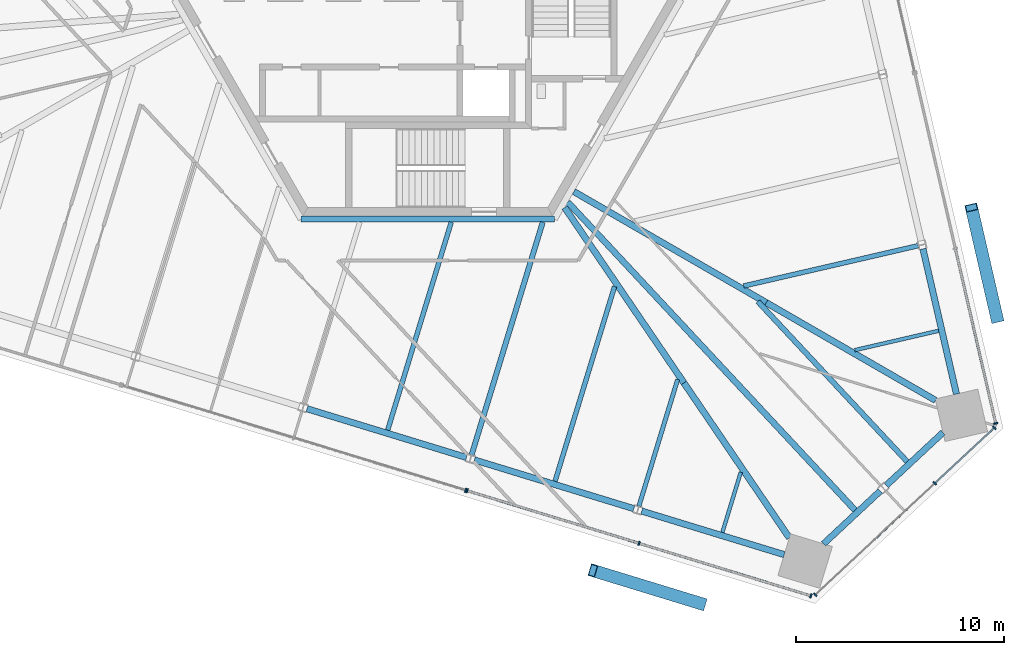
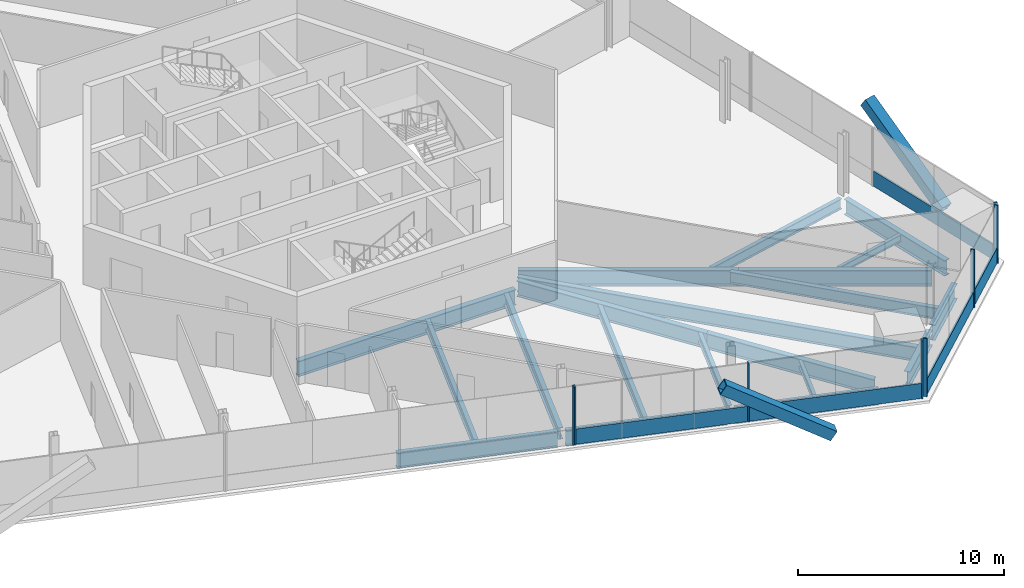
# One storey, part 6 of 18: 20 beams, 15 members, 4 elements without a shape of their own.
"""IFC4 building model written with IfcOpenShell, lengths in metres."""

from ifc_helpers import new_model, si_unit, direction, frame, origin, origin_2d, place, context, subcontext, project, spatial, rectangle, hollow_rectangle, i_section, extrude, source, transform, mapped, material, material_profile, profile_set, type_object, element, aggregate, save


model = new_model("IFC4")

# Units and contexts
model_context = context("Model", 3, precision=1e-05, world=origin(), true_north=direction((0.0, 1.0)))
body_context = subcontext(model_context, "Body", "Model", "MODEL_VIEW")
ifc_project = project(units=[si_unit("LENGTHUNIT", "METRE"), si_unit("AREAUNIT", "SQUARE_METRE"), si_unit("VOLUMEUNIT", "CUBIC_METRE"), si_unit("PLANEANGLEUNIT", "RADIAN"), si_unit("MASSUNIT", "GRAM", prefix="KILO")], contexts=[model_context])

# Site, building, storey
site_placement = place(None, origin())
site = spatial("IfcSite", under=ifc_project, at=site_placement, CompositionType="ELEMENT")
building_placement = place(site_placement, origin())
building = spatial("IfcBuilding", under=site, at=building_placement, Name="Triune Harvest Tower", CompositionType="ELEMENT")
storey_placement = place(building_placement, frame((0.0, 0.0, 101.89990234375)))
storey = spatial("IfcBuildingStorey", under=building, at=storey_placement, Name="L25", CompositionType="ELEMENT", Elevation=101.89990234375)

# Beams
ifc_material_1 = material(Name="Steel ASTM A992 Gr 50", Category="steel")
ifc_material_profile_1 = material_profile(ifc_material_1, i_section(OverallWidth=0.3046875, OverallDepth=0.914306640625, WebThickness=0.0166015625, FlangeThickness=0.02587890625, at=origin_2d()), Name="W36x160")
ifc_profile_set_1 = profile_set([ifc_material_profile_1], Name="Steel ASTM A992 Gr 50")
beam_type_1 = type_object("IfcBeamType", Name="CG-1 Core ring girder W36x160", PredefinedType="BEAM", material=ifc_profile_set_1)
shared_shape_1 = source(origin(), body_context, "Body", "SweptSolid", [
    extrude(i_section(OverallWidth=0.3046875, OverallDepth=0.914306640625, WebThickness=0.0166015625, FlangeThickness=0.02587890625, at=origin_2d()), origin(), (0.0, 0.0, 1.0), 12.17578125),
])
beam_1_placement = place(storey_placement, frame((-6.087890625, -10.544677734375, -0.6171875), z_axis=(1.0, 0.0, 0.0), x_axis=(0.0, 1.0, 0.0)))
element("IfcBeam", 1, at=beam_1_placement, inside=storey, type_object=beam_type_1, Name="beam/L25/CG5", PredefinedType="BEAM", context=body_context, shape_type="MappedRepresentation", body=[
    mapped(shared_shape_1, transform((0.0, 0.0, 0.0), scale=1.0)),
])
ifc_material_2 = material(Name="Steel ASTM A992 Gr 50", Category="steel")
ifc_material_profile_2 = material_profile(ifc_material_2, i_section(OverallWidth=0.307373046875, OverallDepth=0.922119140625, WebThickness=0.018310546875, FlangeThickness=0.030029296875, at=origin_2d()), Name="W36x182")
ifc_profile_set_2 = profile_set([ifc_material_profile_2], Name="Steel ASTM A992 Gr 50")
beam_type_2 = type_object("IfcBeamType", Name="HG-2 Hip girder W36x182", PredefinedType="BEAM", material=ifc_profile_set_2)
shared_shape_2 = source(origin(), body_context, "Body", "SweptSolid", [
    extrude(i_section(OverallWidth=0.307373046875, OverallDepth=0.922119140625, WebThickness=0.018310546875, FlangeThickness=0.030029296875, at=origin_2d()), origin(), (0.0, 0.0, 1.0), 10.681640625),
])
beam_2_placement = place(storey_placement, frame((16.27587890625, -14.56640625, -0.620849609375), z_axis=(-0.866023441189, 0.500003399299, 0.0), x_axis=(-0.500003399299, -0.866023441189, 0.0)))
element("IfcBeam", 2, at=beam_2_placement, inside=storey, type_object=beam_type_2, Name="beam/L25/HG2", PredefinedType="BEAM", context=body_context, shape_type="MappedRepresentation", body=[
    mapped(shared_shape_2, transform((0.0, 0.0, 0.0), scale=1.0)),
])
shared_shape_3 = source(origin(), body_context, "Body", "SweptSolid", [
    extrude(i_section(OverallWidth=0.307373046875, OverallDepth=0.922119140625, WebThickness=0.018310546875, FlangeThickness=0.030029296875, at=origin_2d()), origin(), (0.0, 0.0, 1.0), 10.194091796875),
])
beam_3_placement = place(storey_placement, frame((12.31640625, -18.4208984375, -0.620849609375), z_axis=(-0.562397141719, 0.826867253545, 0.0), x_axis=(-0.826867253545, -0.562397141719, 0.0)))
element("IfcBeam", 3, at=beam_3_placement, inside=storey, type_object=beam_type_2, Name="beam/L25/HG8", PredefinedType="BEAM", context=body_context, shape_type="MappedRepresentation", body=[
    mapped(shared_shape_3, transform((0.0, 0.0, 0.0), scale=1.0)),
])
ifc_material_3 = material(Name="Steel ASTM A992 Gr 50", Category="steel")
ifc_material_profile_3 = material_profile(ifc_material_3, i_section(OverallWidth=0.3046875, OverallDepth=0.914306640625, WebThickness=0.0166015625, FlangeThickness=0.02587890625, at=origin_2d()), Name="W36x160")
ifc_profile_set_3 = profile_set([ifc_material_profile_3], Name="Steel ASTM A992 Gr 50")
beam_type_3 = type_object("IfcBeamType", Name="SB-1 Spandrel beam W36x160", PredefinedType="SPANDREL", material=ifc_profile_set_3)
shared_shape_4 = source(origin(), body_context, "Body", "SweptSolid", [
    extrude(i_section(OverallWidth=0.3046875, OverallDepth=0.914306640625, WebThickness=0.0166015625, FlangeThickness=0.02587890625, at=origin_2d()), origin(), (0.0, 0.0, 1.0), 7.166259765625),
])
beam_4_placement = place(storey_placement, frame((25.42236328125, -18.96044921875, -0.6171875), z_axis=(-0.224949077026, 0.974370521283, 0.0), x_axis=(-0.974370521283, -0.224949077026, 0.0)))
element("IfcBeam", 4, at=beam_4_placement, inside=storey, type_object=beam_type_3, Name="beam/L25/SB1", PredefinedType="SPANDREL", context=body_context, shape_type="MappedRepresentation", body=[
    mapped(shared_shape_4, transform((0.0, 0.0, 0.0), scale=1.0)),
])
shared_shape_5 = source(origin(), body_context, "Body", "SweptSolid", [
    extrude(i_section(OverallWidth=0.3046875, OverallDepth=0.914306640625, WebThickness=0.0166015625, FlangeThickness=0.02587890625, at=origin_2d()), origin(), (0.0, 0.0, 1.0), 8.018310546875),
])
beam_5_placement = place(storey_placement, frame((-5.805908203125, -19.66748046875, -0.6171875), z_axis=(0.956308069579, -0.292360866152, 0.0), x_axis=(0.292360866152, 0.956308069579, 0.0)))
element("IfcBeam", 5, at=beam_5_placement, inside=storey, type_object=beam_type_3, Name="beam/L25/SB20", PredefinedType="SPANDREL", context=body_context, shape_type="MappedRepresentation", body=[
    mapped(shared_shape_5, transform((0.0, 0.0, 0.0), scale=1.0)),
])
shared_shape_6 = source(origin(), body_context, "Body", "SweptSolid", [
    extrude(i_section(OverallWidth=0.3046875, OverallDepth=0.914306640625, WebThickness=0.0166015625, FlangeThickness=0.02587890625, at=origin_2d()), origin(), (0.0, 0.0, 1.0), 8.01806640625),
])
beam_6_placement = place(storey_placement, frame((2.240966796875, -22.127685546875, -0.6171875), z_axis=(0.956305466934, -0.292369379231, 0.0), x_axis=(0.292369379231, 0.956305466934, 0.0)))
element("IfcBeam", 6, at=beam_6_placement, inside=storey, type_object=beam_type_3, Name="beam/L25/SB21", PredefinedType="SPANDREL", context=body_context, shape_type="MappedRepresentation", body=[
    mapped(shared_shape_6, transform((0.0, 0.0, 0.0), scale=1.0)),
])
shared_shape_7 = source(origin(), body_context, "Body", "SweptSolid", [
    extrude(i_section(OverallWidth=0.3046875, OverallDepth=0.914306640625, WebThickness=0.0166015625, FlangeThickness=0.02587890625, at=origin_2d()), origin(), (0.0, 0.0, 1.0), 7.16650390625),
])
beam_7_placement = place(storey_placement, frame((10.287841796875, -24.587646484375, -0.6171875), z_axis=(0.956296811344, -0.292397689137, 0.0), x_axis=(0.292397689137, 0.956296811344, 0.0)))
element("IfcBeam", 7, at=beam_7_placement, inside=storey, type_object=beam_type_3, Name="beam/L25/SB22", PredefinedType="SPANDREL", context=body_context, shape_type="MappedRepresentation", body=[
    mapped(shared_shape_7, transform((0.0, 0.0, 0.0), scale=1.0)),
])
shared_shape_8 = source(origin(), body_context, "Body", "SweptSolid", [
    extrude(i_section(OverallWidth=0.3046875, OverallDepth=0.914306640625, WebThickness=0.0166015625, FlangeThickness=0.02587890625, at=origin_2d()), origin(), (0.0, 0.0, 1.0), 3.72607421875),
])
beam_8_placement = place(storey_placement, frame((19.03173828125, -26.1630859375, -0.6171875), z_axis=(0.731344988612, 0.682007703499, 0.0), x_axis=(-0.682007703499, 0.731344988612, 0.0)))
element("IfcBeam", 8, at=beam_8_placement, inside=storey, type_object=beam_type_3, Name="beam/L25/SB23", PredefinedType="SPANDREL", context=body_context, shape_type="MappedRepresentation", body=[
    mapped(shared_shape_8, transform((0.0, 0.0, 0.0), scale=1.0)),
])
shared_shape_9 = source(origin(), body_context, "Body", "SweptSolid", [
    extrude(i_section(OverallWidth=0.3046875, OverallDepth=0.914306640625, WebThickness=0.0166015625, FlangeThickness=0.02587890625, at=origin_2d()), origin(), (0.0, 0.0, 1.0), 3.726318359375),
])
beam_9_placement = place(storey_placement, frame((22.046630859375, -23.351806640625, -0.6171875), z_axis=(0.731375462482, 0.681975023647, 0.0), x_axis=(-0.681975023647, 0.731375462482, 0.0)))
element("IfcBeam", 9, at=beam_9_placement, inside=storey, type_object=beam_type_3, Name="beam/L25/SB24", PredefinedType="SPANDREL", context=body_context, shape_type="MappedRepresentation", body=[
    mapped(shared_shape_9, transform((0.0, 0.0, 0.0), scale=1.0)),
])
shared_shape_10 = source(origin(), body_context, "Body", "SweptSolid", [
    extrude(i_section(OverallWidth=0.307373046875, OverallDepth=0.922119140625, WebThickness=0.018310546875, FlangeThickness=0.030029296875, at=origin_2d()), origin(), (0.0, 0.0, 1.0), 9.3984375),
])
beam_10_placement = place(storey_placement, frame((24.415283203125, -19.265625, -0.620849609375), z_axis=(-0.866028560268, 0.49999453277, 0.0), x_axis=(-0.49999453277, -0.866028560268, 0.0)))
element("IfcBeam", 10, at=beam_10_placement, inside=storey, type_object=beam_type_2, Name="beam/L25/HG1", PredefinedType="BEAM", context=body_context, shape_type="MappedRepresentation", body=[
    mapped(shared_shape_10, transform((0.0, 0.0, 0.0), scale=1.0)),
])
shared_shape_11 = source(origin(), body_context, "Body", "SweptSolid", [
    extrude(i_section(OverallWidth=0.307373046875, OverallDepth=0.922119140625, WebThickness=0.018310546875, FlangeThickness=0.030029296875, at=origin_2d()), origin(), (0.0, 0.0, 1.0), 9.0166015625),
])
beam_11_placement = place(storey_placement, frame((17.3876953125, -25.876220703125, -0.620849609375), z_axis=(-0.562436658991, 0.826840374331, 0.0), x_axis=(-0.826840374331, -0.562436658991, 0.0)))
element("IfcBeam", 11, at=beam_11_placement, inside=storey, type_object=beam_type_2, Name="beam/L25/HG7", PredefinedType="BEAM", context=body_context, shape_type="MappedRepresentation", body=[
    mapped(shared_shape_11, transform((0.0, 0.0, 0.0), scale=1.0)),
])
ifc_material_4 = material(Name="Steel ASTM A992 Gr 50", Category="steel")
ifc_material_profile_4 = material_profile(ifc_material_4, i_section(OverallWidth=0.180908203125, OverallDepth=0.41650390625, WebThickness=0.010986328125, FlangeThickness=0.01806640625, at=origin_2d()), Name="W16x57")
ifc_profile_set_4 = profile_set([ifc_material_profile_4], Name="Steel ASTM A992 Gr 50")
beam_type_4 = type_object("IfcBeamType", Name="JT-1 Floor joist W16x57", PredefinedType="JOIST", material=ifc_profile_set_4)
shared_shape_12 = source(origin(), body_context, "Body", "SweptSolid", [
    extrude(i_section(OverallWidth=0.180908203125, OverallDepth=0.41650390625, WebThickness=0.010986328125, FlangeThickness=0.01806640625, at=origin_2d()), origin(), (0.0, 0.0, 1.0), 4.1337890625),
])
beam_12_placement = place(storey_placement, frame((24.563720703125, -15.91845703125, -0.3681640625), z_axis=(-0.974368296684, -0.224958712697, 0.0), x_axis=(0.224958712697, -0.974368296684, 0.0)))
element("IfcBeam", 12, at=beam_12_placement, inside=storey, type_object=beam_type_4, Name="beam/L25/JT1", PredefinedType="JOIST", context=body_context, shape_type="MappedRepresentation", body=[
    mapped(shared_shape_12, transform((0.0, 0.0, 0.0), scale=1.0)),
])
ifc_material_5 = material(Name="Steel ASTM A992 Gr 50", Category="steel")
ifc_material_profile_5 = material_profile(ifc_material_5, i_section(OverallWidth=0.22900390625, OverallDepth=0.612060546875, WebThickness=0.011962890625, FlangeThickness=0.01953125, at=origin_2d()), Name="W24x84")
ifc_profile_set_5 = profile_set([ifc_material_profile_5], Name="Steel ASTM A992 Gr 50")
beam_type_5 = type_object("IfcBeamType", Name="JT-3 Floor joist W24x84", PredefinedType="JOIST", material=ifc_profile_set_5)
shared_shape_13 = source(origin(), body_context, "Body", "SweptSolid", [
    extrude(i_section(OverallWidth=0.22900390625, OverallDepth=0.612060546875, WebThickness=0.011962890625, FlangeThickness=0.01953125, at=origin_2d()), origin(), (0.0, 0.0, 1.0), 8.607421875),
])
beam_13_placement = place(storey_placement, frame((23.580078125, -11.82763671875, -0.466064453125), z_axis=(-0.97436872252, -0.224956868255, 0.0), x_axis=(0.224956868255, -0.97436872252, 0.0)))
element("IfcBeam", 13, at=beam_13_placement, inside=storey, type_object=beam_type_5, Name="beam/L25/JT2", PredefinedType="JOIST", context=body_context, shape_type="MappedRepresentation", body=[
    mapped(shared_shape_13, transform((0.0, 0.0, 0.0), scale=1.0)),
])
shared_shape_14 = source(origin(), body_context, "Body", "SweptSolid", [
    extrude(i_section(OverallWidth=0.22900390625, OverallDepth=0.612060546875, WebThickness=0.011962890625, FlangeThickness=0.01953125, at=origin_2d()), origin(), (0.0, 0.0, 1.0), 10.45361328125),
])
beam_14_placement = place(storey_placement, frame((-1.92724609375, -20.69384765625, -0.466064453125), z_axis=(0.29235559587, 0.956309680785, 0.0), x_axis=(-0.956309680785, 0.29235559587, 0.0)))
element("IfcBeam", 14, at=beam_14_placement, inside=storey, type_object=beam_type_5, Name="beam/L25/JT33", PredefinedType="JOIST", context=body_context, shape_type="MappedRepresentation", body=[
    mapped(shared_shape_14, transform((0.0, 0.0, 0.0), scale=1.0)),
])
shared_shape_15 = source(origin(), body_context, "Body", "SweptSolid", [
    extrude(i_section(OverallWidth=0.22900390625, OverallDepth=0.612060546875, WebThickness=0.011962890625, FlangeThickness=0.01953125, at=origin_2d()), origin(), (0.0, 0.0, 1.0), 9.790283203125),
])
beam_15_placement = place(storey_placement, frame((6.119384765625, -23.154052734375, -0.466064453125), z_axis=(0.292383884863, 0.956301032036, 0.0), x_axis=(-0.956301032036, 0.292383884863, 0.0)))
element("IfcBeam", 15, at=beam_15_placement, inside=storey, type_object=beam_type_5, Name="beam/L25/JT35", PredefinedType="JOIST", context=body_context, shape_type="MappedRepresentation", body=[
    mapped(shared_shape_15, transform((0.0, 0.0, 0.0), scale=1.0)),
])
ifc_material_6 = material(Name="Steel ASTM A992 Gr 50", Category="steel")
ifc_material_profile_6 = material_profile(ifc_material_6, i_section(OverallWidth=0.253662109375, OverallDepth=0.683349609375, WebThickness=0.012451171875, FlangeThickness=0.01904296875, at=origin_2d()), Name="W27x94")
ifc_profile_set_6 = profile_set([ifc_material_profile_6], Name="Steel ASTM A992 Gr 50")
beam_type_6 = type_object("IfcBeamType", Name="JT-4 Floor joist W27x94", PredefinedType="JOIST", material=ifc_profile_set_6)
shared_shape_16 = source(origin(), body_context, "Body", "SweptSolid", [
    extrude(i_section(OverallWidth=0.253662109375, OverallDepth=0.683349609375, WebThickness=0.012451171875, FlangeThickness=0.01904296875, at=origin_2d()), origin(), (0.0, 0.0, 1.0), 11.70166015625),
])
beam_16_placement = place(storey_placement, frame((2.107177734375, -21.887451171875, -0.50146484375), z_axis=(0.292381788251, 0.956301673061, 0.0), x_axis=(-0.956301673061, 0.292381788251, 0.0)))
element("IfcBeam", 16, at=beam_16_placement, inside=storey, type_object=beam_type_6, Name="beam/L25/JT34", PredefinedType="JOIST", context=body_context, shape_type="MappedRepresentation", body=[
    mapped(shared_shape_16, transform((0.0, 0.0, 0.0), scale=1.0)),
])
ifc_material_7 = material(Name="Steel ASTM A992 Gr 50", Category="steel")
ifc_material_profile_7 = material_profile(ifc_material_7, i_section(OverallWidth=0.2099609375, OverallDepth=0.535888671875, WebThickness=0.010986328125, FlangeThickness=0.017333984375, at=origin_2d()), Name="W21x68")
ifc_profile_set_7 = profile_set([ifc_material_profile_7], Name="Steel ASTM A992 Gr 50")
beam_type_7 = type_object("IfcBeamType", Name="JT-2 Floor joist W21x68", PredefinedType="JOIST", material=ifc_profile_set_7)
shared_shape_17 = source(origin(), body_context, "Body", "SweptSolid", [
    extrude(i_section(OverallWidth=0.2099609375, OverallDepth=0.535888671875, WebThickness=0.010986328125, FlangeThickness=0.017333984375, at=origin_2d()), origin(), (0.0, 0.0, 1.0), 6.3720703125),
])
beam_17_placement = place(storey_placement, frame((10.154052734375, -24.34765625, -0.427978515625), z_axis=(0.292370379947, 0.956305160986, 0.0), x_axis=(-0.956305160986, 0.292370379947, 0.0)))
element("IfcBeam", 17, at=beam_17_placement, inside=storey, type_object=beam_type_7, Name="beam/L25/JT36", PredefinedType="JOIST", context=body_context, shape_type="MappedRepresentation", body=[
    mapped(shared_shape_17, transform((0.0, 0.0, 0.0), scale=1.0)),
])
ifc_material_8 = material(Name="Steel ASTM A992 Gr 50", Category="steel")
ifc_material_profile_8 = material_profile(ifc_material_8, i_section(OverallWidth=0.2919921875, OverallDepth=0.8583984375, WebThickness=0.01708984375, FlangeThickness=0.031005859375, at=origin_2d()), Name="W33x169")
ifc_profile_set_8 = profile_set([ifc_material_profile_8], Name="Steel ASTM A992 Gr 50")
beam_type_8 = type_object("IfcBeamType", Name="JT-7 Floor joist W33x169", PredefinedType="JOIST", material=ifc_profile_set_8)
shared_shape_18 = source(origin(), body_context, "Body", "SweptSolid", [
    extrude(i_section(OverallWidth=0.2919921875, OverallDepth=0.8583984375, WebThickness=0.01708984375, FlangeThickness=0.031005859375, at=origin_2d()), origin(), (0.0, 0.0, 1.0), 20.25244140625),
])
beam_18_placement = place(storey_placement, frame((20.545654296875, -24.54296875, -0.589111328125), z_axis=(-0.681993474081, 0.73135825784, 0.0), x_axis=(-0.73135825784, -0.681993474081, 0.0)))
element("IfcBeam", 18, at=beam_18_placement, inside=storey, type_object=beam_type_8, Name="beam/L25/JT38", PredefinedType="JOIST", context=body_context, shape_type="MappedRepresentation", body=[
    mapped(shared_shape_18, transform((0.0, 0.0, 0.0), scale=1.0)),
])
shared_shape_19 = source(origin(), body_context, "Body", "SweptSolid", [
    extrude(i_section(OverallWidth=0.253662109375, OverallDepth=0.683349609375, WebThickness=0.012451171875, FlangeThickness=0.01904296875, at=origin_2d()), origin(), (0.0, 0.0, 1.0), 10.52294921875),
])
beam_19_placement = place(storey_placement, frame((23.05029296875, -22.20751953125, -0.50146484375), z_axis=(-0.682013989315, 0.731339126793, 0.0), x_axis=(-0.731339126793, -0.682013989315, 0.0)))
element("IfcBeam", 19, at=beam_19_placement, inside=storey, type_object=beam_type_6, Name="beam/L25/JT39", PredefinedType="JOIST", context=body_context, shape_type="MappedRepresentation", body=[
    mapped(shared_shape_19, transform((0.0, 0.0, 0.0), scale=1.0)),
])
shared_shape_20 = source(origin(), body_context, "Body", "SweptSolid", [
    extrude(i_section(OverallWidth=0.180908203125, OverallDepth=0.41650390625, WebThickness=0.010986328125, FlangeThickness=0.01806640625, at=origin_2d()), origin(), (0.0, 0.0, 1.0), 3.030029296875),
])
beam_20_placement = place(storey_placement, frame((14.166259765625, -25.614013671875, -0.3681640625), z_axis=(0.2923925234, 0.956298390807, 0.0), x_axis=(-0.956298390807, 0.2923925234, 0.0)))
element("IfcBeam", 20, at=beam_20_placement, inside=storey, type_object=beam_type_4, Name="beam/L25/JT37", PredefinedType="JOIST", context=body_context, shape_type="MappedRepresentation", body=[
    mapped(shared_shape_20, transform((0.0, 0.0, 0.0), scale=1.0)),
])

# Members
ifc_material_9 = material(Name="Steel ASTM A572 Gr 50", Category="steel")
ifc_material_profile_9 = material_profile(ifc_material_9, hollow_rectangle(XDim=0.60009765625, YDim=0.60009765625, WallThickness=0.0400390625, at=origin_2d()), Name="Box 600x600x40")
ifc_profile_set_9 = profile_set([ifc_material_profile_9], Name="Steel ASTM A572 Gr 50")
member_type_1 = type_object("IfcMemberType", Name="BR-2 Brace Box 600x600x40", PredefinedType="BRACE", material=ifc_profile_set_9)
shared_shape_21 = source(origin(), body_context, "Body", "SweptSolid", [
    extrude(hollow_rectangle(XDim=0.60009765625, YDim=0.60009765625, WallThickness=0.0400390625, at=origin_2d()), origin(), (0.0, 0.0, 1.0), 6.56640625),
])
for number, where, z_axis, x_axis, name in (
    (21, (27.377685546875, -15.343994140625, 0.0), (-0.188130999407, 0.814874923715, 0.548256861117), (-0.974369462042, -0.224953665097, 0.0), "brace/B3-F1/d1/2"),
    (22, (13.192138671875, -29.05078125, 0.0), (-0.799754510261, 0.24453674635, 0.548264993413), (-0.292401508485, -0.956295643531, 0.0), "brace/B3-F5/d2/2"),
):
    element("IfcMember", number, at=place(storey_placement, frame(where, z_axis=z_axis, x_axis=x_axis)), inside=storey, type_object=member_type_1, Name=name, PredefinedType="BRACE", context=body_context, shape_type="MappedRepresentation", body=[
        mapped(shared_shape_21, transform((0.0, 0.0, 0.0), scale=1.0)),
    ])

# Curtain wall, member
ifc_material_10 = material(Name="Aluminium bronze anodised", Category="aluminium")
curtain_wall_type_1 = type_object("IfcCurtainWallType", Name="CW-7 Tower stick curtain wall with insulated spandrel infill", PredefinedType="NOTDEFINED", material=ifc_material_10)
curtain_wall_1_placement = place(storey_placement, origin())
curtain_wall_1 = element("IfcCurtainWall", 23, at=curtain_wall_1_placement, inside=storey, type_object=curtain_wall_type_1, Name="CW-7 B3-F1 L25 run 1")
ifc_material_11 = material(Name="Aluminium bronze anodised", Category="aluminium")
ifc_material_profile_10 = material_profile(ifc_material_11, rectangle(XDim=0.199951171875, YDim=0.074951171875, at=origin_2d()), Name="MU-1 mullion 75 x 200")
ifc_profile_set_10 = profile_set([ifc_material_profile_10], Name="Aluminium bronze anodised")
member_type_2 = type_object("IfcMemberType", Name="MU-1 mullion 75 x 200", PredefinedType="MULLION", material=ifc_profile_set_10)
shared_shape_22 = source(origin(), body_context, "Body", "SweptSolid", [
    extrude(rectangle(XDim=0.199951171875, YDim=0.074951171875, at=origin_2d()), origin(), (0.0, 0.0, 1.0), 3.440185546875),
])
member_1_placement = place(storey_placement, frame((27.306884765625, -20.3720703125, 0.0), z_axis=(0.0, 0.0, 1.0), x_axis=(-0.974370128597, -0.224950777946, 0.0)))
member_1 = element("IfcMember", 24, at=member_1_placement, type_object=member_type_2, Name="CW-7 mullion B3-F1 1.1", PredefinedType="MULLION", context=body_context, shape_type="MappedRepresentation", body=[
    mapped(shared_shape_22, transform((0.0, 0.0, 0.0), scale=1.0)),
])

ifc_material_12 = material(Name="Aluminium bronze anodised", Category="aluminium")
curtain_wall_type_2 = type_object("IfcCurtainWallType", Name="CW-1 Tower stick curtain wall", PredefinedType="NOTDEFINED", material=ifc_material_12)
curtain_wall_2_placement = place(storey_placement, origin())
curtain_wall_2 = element("IfcCurtainWall", 25, at=curtain_wall_2_placement, inside=storey, type_object=curtain_wall_type_2, Name="CW-1 B3-F5 L25 run 1001")
member_2_placement = place(storey_placement, frame((1.822509765625, -23.587646484375, 0.0), z_axis=(0.0, 0.0, 1.0), x_axis=(0.292375328782, 0.956303647969, 0.0)))
member_2 = element("IfcMember", 26, at=member_2_placement, type_object=member_type_2, Name="CW-1 mullion B3-F5 1001.5", PredefinedType="MULLION", context=body_context, shape_type="MappedRepresentation", body=[
    mapped(shared_shape_22, transform((0.0, 0.0, 0.0), scale=1.0)),
])
aggregate(curtain_wall_2, [member_2])

# Curtain wall, members
curtain_wall_3_placement = place(storey_placement, origin())
curtain_wall_3 = element("IfcCurtainWall", 27, at=curtain_wall_3_placement, inside=storey, type_object=curtain_wall_type_1, Name="CW-7 B3-F5 L25 run 2001")
member_3_placement = place(storey_placement, frame((1.89404296875, -23.609619140625, 0.0), z_axis=(0.0, 0.0, 1.0), x_axis=(0.292372474863, 0.956304520507, 0.0)))
member_3 = element("IfcMember", 28, at=member_3_placement, type_object=member_type_2, Name="CW-7 mullion B3-F5 2001.1", PredefinedType="MULLION", context=body_context, shape_type="MappedRepresentation", body=[
    mapped(shared_shape_22, transform((0.0, 0.0, 0.0), scale=1.0)),
])
member_4_placement = place(storey_placement, frame((10.156005859375, -26.135498046875, 0.0), z_axis=(0.0, 0.0, 1.0), x_axis=(0.292372474863, 0.956304520507, 0.0)))
member_4 = element("IfcMember", 29, at=member_4_placement, type_object=member_type_2, Name="CW-7 mullion B3-F5 2001.3", PredefinedType="MULLION", context=body_context, shape_type="MappedRepresentation", body=[
    mapped(shared_shape_22, transform((0.0, 0.0, 0.0), scale=1.0)),
])
member_5_placement = place(storey_placement, frame((18.417724609375, -28.661376953125, 0.0), z_axis=(0.0, 0.0, 1.0), x_axis=(0.292372474863, 0.956304520507, 0.0)))
member_5 = element("IfcMember", 30, at=member_5_placement, type_object=member_type_2, Name="CW-7 mullion B3-F5 2001.5", PredefinedType="MULLION", context=body_context, shape_type="MappedRepresentation", body=[
    mapped(shared_shape_22, transform((0.0, 0.0, 0.0), scale=1.0)),
])

curtain_wall_4_placement = place(storey_placement, origin())
curtain_wall_4 = element("IfcCurtainWall", 31, at=curtain_wall_4_placement, inside=storey, type_object=curtain_wall_type_2, Name="CW-1 B3-F6 L25 run 1")
member_6_placement = place(storey_placement, frame((18.6328125, -28.61181640625, 0.0), z_axis=(0.0, 0.0, 1.0), x_axis=(-0.682002387287, 0.731349946151, 0.0)))
member_6 = element("IfcMember", 32, at=member_6_placement, type_object=member_type_2, Name="CW-1 mullion B3-F6 1.1", PredefinedType="MULLION", context=body_context, shape_type="MappedRepresentation", body=[
    mapped(shared_shape_22, transform((0.0, 0.0, 0.0), scale=1.0)),
])
member_7_placement = place(storey_placement, frame((24.381591796875, -23.2509765625, 0.0), z_axis=(0.0, 0.0, 1.0), x_axis=(-0.682002387287, 0.731349946151, 0.0)))
member_7 = element("IfcMember", 33, at=member_7_placement, type_object=member_type_2, Name="CW-1 mullion B3-F6 1.3", PredefinedType="MULLION", context=body_context, shape_type="MappedRepresentation", body=[
    mapped(shared_shape_22, transform((0.0, 0.0, 0.0), scale=1.0)),
])
member_8_placement = place(storey_placement, frame((27.2421875, -20.583251953125, 0.0), z_axis=(0.0, 0.0, 1.0), x_axis=(-0.682002387287, 0.731349946151, 0.0)))
member_8 = element("IfcMember", 34, at=member_8_placement, type_object=member_type_2, Name="CW-1 mullion B3-F6 1.4", PredefinedType="MULLION", context=body_context, shape_type="MappedRepresentation", body=[
    mapped(shared_shape_22, transform((0.0, 0.0, 0.0), scale=1.0)),
])
ifc_material_13 = material(Name="Aluminium bronze anodised", Category="aluminium")
ifc_material_profile_11 = material_profile(ifc_material_13, rectangle(XDim=0.090087890625, YDim=0.89990234375, at=origin_2d()), Name="TR-1 transom 90 x 900")
ifc_profile_set_11 = profile_set([ifc_material_profile_11], Name="Aluminium bronze anodised")
member_type_3 = type_object("IfcMemberType", Name="TR-1 transom 90 x 900", PredefinedType="USERDEFINED", material=ifc_profile_set_11)
shared_shape_23 = source(origin(), body_context, "Body", "SweptSolid", [
    extrude(rectangle(XDim=0.090087890625, YDim=0.89990234375, at=origin_2d()), origin(), (0.0, 0.0, 1.0), 7.78564453125),
])
member_9_placement = place(storey_placement, frame((18.66015625, -28.586181640625, 0.4501953125), z_axis=(0.731354473546, 0.681997532271, 0.0), x_axis=(-0.681997532271, 0.731354473546, 0.0)))
member_9 = element("IfcMember", 35, at=member_9_placement, type_object=member_type_3, Name="CW-1 transom B3-F6 1.1", ObjectType="TRANSOM", PredefinedType="USERDEFINED", context=body_context, shape_type="MappedRepresentation", body=[
    mapped(shared_shape_23, transform((0.0, 0.0, 0.0), scale=1.0)),
])
shared_shape_24 = source(origin(), body_context, "Body", "SweptSolid", [
    extrude(rectangle(XDim=0.090087890625, YDim=0.89990234375, at=origin_2d()), origin(), (0.0, 0.0, 1.0), 3.83642578125),
])
member_10_placement = place(storey_placement, frame((24.408935546875, -23.225341796875, 0.4501953125), z_axis=(0.73136626704, 0.681984885049, 0.0), x_axis=(-0.681984885049, 0.73136626704, 0.0)))
member_10 = element("IfcMember", 36, at=member_10_placement, type_object=member_type_3, Name="CW-1 transom B3-F6 1.2", ObjectType="TRANSOM", PredefinedType="USERDEFINED", context=body_context, shape_type="MappedRepresentation", body=[
    mapped(shared_shape_24, transform((0.0, 0.0, 0.0), scale=1.0)),
])
aggregate(curtain_wall_4, [member_6, member_7, member_8, member_9, member_10])

# Member
shared_shape_25 = source(origin(), body_context, "Body", "SweptSolid", [
    extrude(rectangle(XDim=0.090087890625, YDim=0.89990234375, at=origin_2d()), origin(), (0.0, 0.0, 1.0), 8.564208984375),
])
member_11_placement = place(storey_placement, frame((27.29833984375, -20.33544921875, 0.4501953125), z_axis=(-0.224949030659, 0.974370531988, 0.0), x_axis=(-0.974370531988, -0.224949030659, 0.0)))
member_11 = element("IfcMember", 37, at=member_11_placement, type_object=member_type_3, Name="CW-7 transom B3-F1 1.1", ObjectType="TRANSOM", PredefinedType="USERDEFINED", context=body_context, shape_type="MappedRepresentation", body=[
    mapped(shared_shape_25, transform((0.0, 0.0, 0.0), scale=1.0)),
])

aggregate(curtain_wall_1, [member_1, member_11])

member_12_placement = place(storey_placement, frame((10.19189453125, -26.146484375, 0.4501953125), z_axis=(0.956305086263, -0.292370624358, 0.0), x_axis=(0.292370624358, 0.956305086263, 0.0)))
member_12 = element("IfcMember", 38, at=member_12_placement, type_object=member_type_3, Name="CW-7 transom B3-F5 2001.2", ObjectType="TRANSOM", PredefinedType="USERDEFINED", context=body_context, shape_type="MappedRepresentation", body=[
    mapped(shared_shape_25, transform((0.0, 0.0, 0.0), scale=1.0)),
])

shared_shape_26 = source(origin(), body_context, "Body", "SweptSolid", [
    extrude(rectangle(XDim=0.090087890625, YDim=0.89990234375, at=origin_2d()), origin(), (0.0, 0.0, 1.0), 8.564453125),
])
member_13_placement = place(storey_placement, frame((1.929931640625, -23.62060546875, 0.4501953125), z_axis=(0.956307522982, -0.292362654059, 0.0), x_axis=(0.292362654059, 0.956307522982, 0.0)))
member_13 = element("IfcMember", 39, at=member_13_placement, type_object=member_type_3, Name="CW-7 transom B3-F5 2001.1", ObjectType="TRANSOM", PredefinedType="USERDEFINED", context=body_context, shape_type="MappedRepresentation", body=[
    mapped(shared_shape_26, transform((0.0, 0.0, 0.0), scale=1.0)),
])

aggregate(curtain_wall_3, [member_3, member_4, member_5, member_13, member_12])

save(model, "model.ifc")
